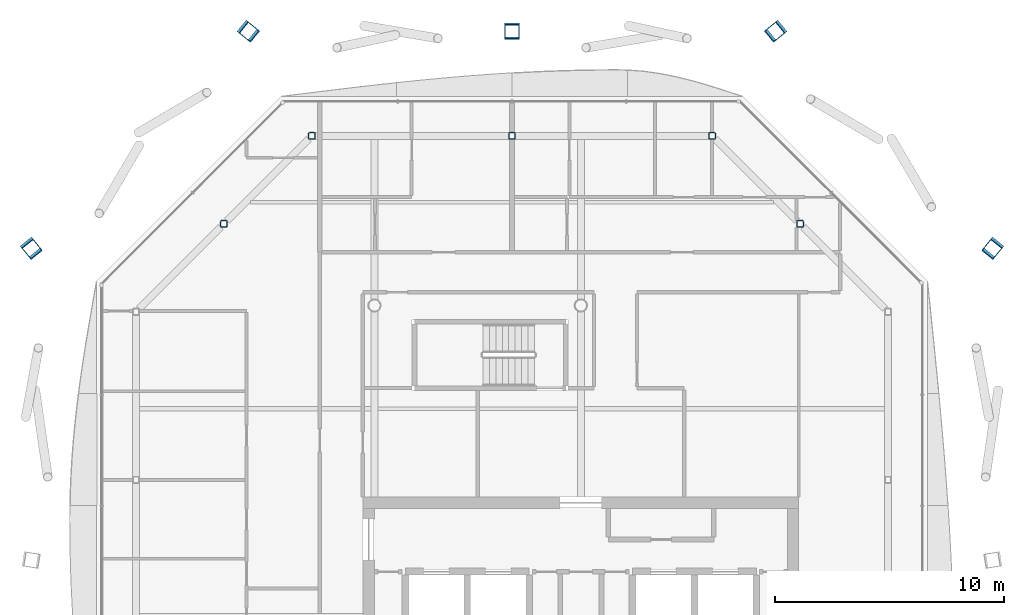
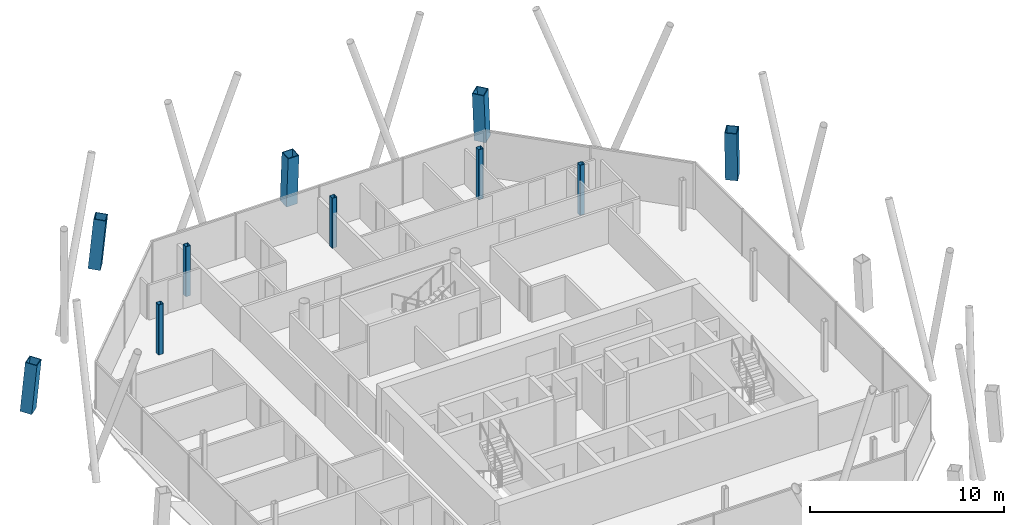
# One storey, part 3 of 17: 10 columns.
"""IFC4 building model written with IfcOpenShell, lengths in metres."""

import ifcopenshell
import ifcopenshell.guid

model = None  # the IFC model being written
_history = None  # IfcOwnerHistory: only IFC2X3 demands one
_inside = {}  # id of a spatial element -> (the spatial element, [elements in it])
_under = {}  # id of a project, library or spatial element -> (it, [spatial elements below it])
_declared = {}  # id of a project -> (the project, [libraries it declares])
_typed = {}  # id of a type object -> (the type object, [elements of that type])
_made_of = {}  # id of a material, layer set ... -> (it, [elements and type objects made of it])


def new_model(schema):
    """Start an empty IFC model of exactly this schema.

    Asked for "IFC4X3", IfcOpenShell would pick the latest addendum, in which some entities
    have other attributes; the version numbers below select the first issue.
    IFC2X3 requires an IfcOwnerHistory on every rooted entity: one is made here for all.
    """
    global model, _history
    if schema == "IFC4X3":
        model = ifcopenshell.file(schema_version=(4, 3, 0, 0))
    else:
        model = ifcopenshell.file(schema=schema)
    _inside.clear()
    _under.clear()
    _declared.clear()
    _typed.clear()
    _made_of.clear()
    _history = None
    if model.schema == "IFC2X3":
        org = make("IfcOrganization", Name="unknown")
        user = make(
            "IfcPersonAndOrganization",
            ThePerson=make("IfcPerson", FamilyName="unknown"),
            TheOrganization=org,
        )
        app = make(
            "IfcApplication",
            ApplicationDeveloper=org,
            Version="unknown",
            ApplicationFullName="unknown",
            ApplicationIdentifier="unknown",
        )
        _history = make(
            "IfcOwnerHistory",
            OwningUser=user,
            OwningApplication=app,
            ChangeAction="ADDED",
            CreationDate=0,
        )
    return model


def make(cls, **values):
    """One entity of the class cls with the attributes given. An attribute that is None is left unset."""
    return model.create_entity(
        cls, **{name: value for name, value in values.items() if value is not None}
    )


def rooted(cls, **values):
    """An entity with a GlobalId (a new one), such as an element, a storey or a relation."""
    return make(cls, GlobalId=ifcopenshell.guid.new(), OwnerHistory=_history, **values)


def si_unit(unit_type, name, prefix=None):
    """IfcSIUnit, for example si_unit("LENGTHUNIT", "METRE", prefix="MILLI")."""
    return make("IfcSIUnit", UnitType=unit_type, Prefix=prefix, Name=name)


def assignment(units):
    """IfcUnitAssignment: the units of a project."""
    return None if units is None else make("IfcUnitAssignment", Units=units)


def point(xyz):
    """IfcCartesianPoint."""
    return None if xyz is None else make("IfcCartesianPoint", Coordinates=xyz)


def direction(xyz):
    """IfcDirection."""
    return None if xyz is None else make("IfcDirection", DirectionRatios=xyz)


def frame(location, z_axis=None, x_axis=None):
    """IfcAxis2Placement3D, a coordinate frame: its origin and axes. An axis left out is left unset."""
    return make(
        "IfcAxis2Placement3D",
        Location=point(location),
        Axis=direction(z_axis),
        RefDirection=direction(x_axis),
    )


def frame_2d(location, x_axis=None):
    """IfcAxis2Placement2D, a coordinate frame in the plane: its origin and x axis."""
    return make(
        "IfcAxis2Placement2D", Location=point(location), RefDirection=direction(x_axis)
    )


def origin():
    """The frame at (0, 0, 0) with its axes left unset."""
    return frame((0.0, 0.0, 0.0))


def origin_2d():
    """The frame at (0, 0) in the plane with its x axis left unset."""
    return frame_2d((0.0, 0.0))


def place(relative_to, where):
    """IfcLocalPlacement: puts the frame where relative to a parent placement (None: the world)."""
    return make(
        "IfcLocalPlacement", PlacementRelTo=relative_to, RelativePlacement=where
    )


def context(
    kind, dimensions, precision=None, world=None, true_north=None, identifier=None
):
    """IfcGeometricRepresentationContext, for example the 3D "Model" context."""
    return make(
        "IfcGeometricRepresentationContext",
        ContextIdentifier=identifier,
        ContextType=kind,
        CoordinateSpaceDimension=dimensions,
        Precision=precision,
        WorldCoordinateSystem=world,
        TrueNorth=true_north,
    )


def subcontext(parent, identifier, kind, view, scale=None):
    """IfcGeometricRepresentationSubContext, for example "Body" below "Model"."""
    return make(
        "IfcGeometricRepresentationSubContext",
        ContextIdentifier=identifier,
        ContextType=kind,
        ParentContext=parent,
        TargetScale=scale,
        TargetView=view,
    )


def project(units=None, contexts=None):
    """IfcProject with its units and contexts."""
    return rooted(
        "IfcProject",
        Name="project",
        RepresentationContexts=contexts,
        UnitsInContext=assignment(units),
    )


def spatial(cls, under=None, at=None, **own):
    """A site, building, storey or space (cls), placed at a placement, below another one or the project."""
    s = rooted(cls, ObjectPlacement=at, **own)
    if under is not None:
        _under.setdefault(under.id(), (under, []))[1].append(s)
    return s


def profile(cls, at=None, kind="AREA", **sizes):
    """A parametric profile (cls). Its sizes go by their IFC names, for example OverallWidth=200.0."""
    return make(cls, ProfileType=kind, Position=at, **sizes)


def hollow_rectangle(**sizes):
    """IfcRectangleHollowProfileDef."""
    return profile("IfcRectangleHollowProfileDef", **sizes)


def extrude(swept, where, along, depth):
    """IfcExtrudedAreaSolid: the profile swept, set in the frame where, extruded along a direction by depth."""
    return make(
        "IfcExtrudedAreaSolid",
        SweptArea=swept,
        Position=where,
        ExtrudedDirection=direction(along),
        Depth=depth,
    )


def shape(context_of_items, identifier, shape_type, items):
    """IfcShapeRepresentation: the items that make up one representation, for example the "Body"."""
    return make(
        "IfcShapeRepresentation",
        ContextOfItems=context_of_items,
        RepresentationIdentifier=identifier,
        RepresentationType=shape_type,
        Items=items,
    )


def material(Name=None, Category=None):
    """IfcMaterial."""
    return make("IfcMaterial", Name=Name, Category=Category)


def material_profile(
    of_material, cross_section, Name=None, Category=None, Priority=None
):
    """IfcMaterialProfile: a cross section and its material."""
    return make(
        "IfcMaterialProfile",
        Name=Name,
        Material=of_material,
        Profile=cross_section,
        Priority=Priority,
        Category=Category,
    )


def profile_set(profiles, Name=None, composite=None):
    """IfcMaterialProfileSet."""
    return make(
        "IfcMaterialProfileSet",
        Name=Name,
        MaterialProfiles=profiles,
        CompositeProfile=composite,
    )


def made_of(thing, what):
    """Note that an element or type object is made of a material, layer set ...; save() writes the relation."""
    if what is not None:
        _made_of.setdefault(what.id(), (what, []))[1].append(thing)
    return thing


def type_object(cls, material=None, **own):
    """A type object (cls), such as IfcWallType, which elements share."""
    return made_of(rooted(cls, **own), material)


def element(
    cls,
    number,
    at=None,
    inside=None,
    cuts=None,
    type_object=None,
    material=None,
    context=None,
    identifier="Body",
    shape_type=None,
    held_by="IfcProductDefinitionShape",
    body=None,
    shapes=None,
    **own,
):
    """One element of the class cls, such as IfcWall. Its Tag is "e" and its number.

    at: its placement. inside: the storey or other place that contains it. cuts: it is an
    opening in that element (IfcRelVoidsElement). A single representation is given by context,
    identifier, shape_type and body (its items); several are given by shapes. held_by: the class
    of the entity that holds the representations. save() writes the other relations.
    """
    e = rooted(cls, Tag="e%d" % number, ObjectPlacement=at, **own)
    if body is not None:
        shapes = [shape(context, identifier, shape_type, body)]
    if shapes is not None:
        e.Representation = make(held_by, Representations=shapes)
    if inside is not None:
        _inside.setdefault(inside.id(), (inside, []))[1].append(e)
    if cuts is not None:
        rooted(
            "IfcRelVoidsElement", RelatingBuildingElement=cuts, RelatedOpeningElement=e
        )
    if type_object is not None:
        _typed.setdefault(type_object.id(), (type_object, []))[1].append(e)
    return made_of(e, material)


def aggregate(whole, parts):
    """IfcRelAggregates: a whole, such as a stair, and the parts it consists of."""
    return rooted("IfcRelAggregates", RelatingObject=whole, RelatedObjects=parts)


def save(model, path):
    """Write the relations noted so far, then the file.

    IfcRelAggregates (storeys below a building ...), IfcRelContainedInSpatialStructure (elements
    in a storey), IfcRelDefinesByType, IfcRelAssociatesMaterial and IfcRelDeclares: one each for
    every whole, place, type object, material and project.
    """
    for whole, parts in _under.values():
        aggregate(whole, parts)
    for where, things in _inside.values():
        rooted(
            "IfcRelContainedInSpatialStructure",
            RelatedElements=things,
            RelatingStructure=where,
        )
    for kind, things in _typed.values():
        rooted("IfcRelDefinesByType", RelatedObjects=things, RelatingType=kind)
    for what, things in _made_of.values():
        rooted("IfcRelAssociatesMaterial", RelatedObjects=things, RelatingMaterial=what)
    for by, libraries in _declared.values():
        rooted("IfcRelDeclares", RelatingContext=by, RelatedDefinitions=libraries)
    model.write(path)


model = new_model("IFC4")

# Units and contexts
model_context = context("Model", 3, precision=1e-05, world=origin(), true_north=direction((0.0, 1.0)))
body_context = subcontext(model_context, "Body", "Model", "MODEL_VIEW")
ifc_project = project(units=[si_unit("LENGTHUNIT", "METRE"), si_unit("AREAUNIT", "SQUARE_METRE"), si_unit("VOLUMEUNIT", "CUBIC_METRE"), si_unit("PLANEANGLEUNIT", "RADIAN"), si_unit("MASSUNIT", "GRAM", prefix="KILO")], contexts=[model_context])

# Site, building, storey
site_placement = place(None, origin())
site = spatial("IfcSite", under=ifc_project, at=site_placement, CompositionType="ELEMENT")
building_placement = place(site_placement, origin())
building = spatial("IfcBuilding", under=site, at=building_placement, Name="Tskaro Facet Tower", CompositionType="ELEMENT")
storey_placement = place(building_placement, frame((0.0, 0.0, 236.10009765625)))
storey = spatial("IfcBuildingStorey", under=building, at=storey_placement, Name="L61", CompositionType="ELEMENT", Elevation=236.10009765625)

# Columns
ifc_material_1 = material(Name="Steel S355J2", Category="steel")
ifc_material_profile_1 = material_profile(ifc_material_1, hollow_rectangle(XDim=0.64990234375, YDim=0.64990234375, WallThickness=0.0400390625, at=origin_2d()), Name="BOX 650x650x40")
ifc_profile_set_1 = profile_set([ifc_material_profile_1], Name="Steel S355J2")
column_type_1 = type_object("IfcColumnType", Name="BOX 650x650x40 mega column", PredefinedType="COLUMN", material=ifc_profile_set_1)
for number, where, z_axis, x_axis, name in (
    (1, (17.989013671875, 11.534912109375, 0.0), (-0.05788447966, -0.071390858248, 0.995767408772), (0.77675574872, -0.629801958421, 0.0), "BOX 650x650x40 MC06/5"),
    (2, (8.534912109375, 20.989013671875, 0.0), (-0.071390858248, -0.05788447966, 0.995767408772), (0.629801958421, -0.77675574872, 0.0), "BOX 650x650x40 MC07/5"),
):
    element("IfcColumn", number, at=place(storey_placement, frame(where, z_axis=z_axis, x_axis=x_axis)), inside=storey, type_object=column_type_1, Name=name, PredefinedType="COLUMN", context=body_context, shape_type="SweptSolid", body=[
        extrude(hollow_rectangle(XDim=0.64990234375, YDim=0.64990234375, WallThickness=0.0400390625, at=origin_2d()), origin(), (0.0, 0.0, 1.0), 3.163330078125),
    ])
column_placement = place(storey_placement, frame((-3.0, 20.989013671875, 0.0), z_axis=(0.0, -0.058032554517, 0.998314691175), x_axis=(1.0, 0.0, 0.0)))
element("IfcColumn", 3, at=column_placement, inside=storey, type_object=column_type_1, Name="BOX 650x650x40 MC08/5", PredefinedType="COLUMN", context=body_context, shape_type="SweptSolid", body=[
    extrude(hollow_rectangle(XDim=0.64990234375, YDim=0.64990234375, WallThickness=0.0400390625, at=origin_2d()), origin(), (0.0, 0.0, 1.0), 3.1552734375),
])
for number, where, z_axis, x_axis, name in (
    (4, (-14.534912109375, 20.989013671875, 0.0), (0.071390858248, -0.05788447966, 0.995767408772), (0.629801958421, 0.77675574872, 0.0), "BOX 650x650x40 MC09/5"),
    (5, (-23.989013671875, 11.534912109375, 0.0), (0.05788447966, -0.071390858248, 0.995767408772), (0.77675574872, 0.629801958421, 0.0), "BOX 650x650x40 MC10/5"),
):
    element("IfcColumn", number, at=place(storey_placement, frame(where, z_axis=z_axis, x_axis=x_axis)), inside=storey, type_object=column_type_1, Name=name, PredefinedType="COLUMN", context=body_context, shape_type="SweptSolid", body=[
        extrude(hollow_rectangle(XDim=0.64990234375, YDim=0.64990234375, WallThickness=0.0400390625, at=origin_2d()), origin(), (0.0, 0.0, 1.0), 3.163330078125),
    ])
ifc_material_2 = material(Name="Steel S355J2H", Category="steel")
ifc_material_profile_2 = material_profile(ifc_material_2, hollow_rectangle(XDim=0.300048828125, YDim=0.300048828125, WallThickness=0.02001953125, InnerFilletRadius=0.030029296875, OuterFilletRadius=0.050048828125, at=origin_2d()), Name="SHS 300x300x20")
ifc_profile_set_2 = profile_set([ifc_material_profile_2], Name="Steel S355J2H")
column_type_2 = type_object("IfcColumnType", Name="SHS 300x300x20 ring column", PredefinedType="COLUMN", material=ifc_profile_set_2)
for number, where, z_axis, x_axis, name in (
    (6, (9.55810546875, 12.55810546875, 0.0), (0.0, 0.0, 1.0), (1.0, 0.0, 0.0), "SHS 300x300x20 RNE-2/5"),
    (7, (5.72509765625, 16.39111328125, 0.0), (0.0, 0.0, 1.0), (1.0, 0.0, 0.0), "SHS 300x300x20 RN-1/5"),
    (8, (-3.0, 16.39111328125, 0.0), (0.0, 0.0, 1.0), (1.0, 0.0, 0.0), "SHS 300x300x20 RN-2/5"),
    (9, (-11.72509765625, 16.39111328125, 0.0), (0.0, 0.0, 1.0), (1.0, 0.0, 0.0), "SHS 300x300x20 RNW-1/5"),
    (10, (-15.55810546875, 12.55810546875, 0.0), (0.0, 0.0, 1.0), (1.0, 0.0, 0.0), "SHS 300x300x20 RNW-2/5"),
):
    element("IfcColumn", number, at=place(storey_placement, frame(where, z_axis=z_axis, x_axis=x_axis)), inside=storey, type_object=column_type_2, Name=name, PredefinedType="COLUMN", context=body_context, shape_type="SweptSolid", body=[
        extrude(hollow_rectangle(XDim=0.300048828125, YDim=0.300048828125, WallThickness=0.02001953125, InnerFilletRadius=0.030029296875, OuterFilletRadius=0.050048828125, at=origin_2d()), origin(), (0.0, 0.0, 1.0), 3.14990234375),
    ])

save(model, "model.ifc")
